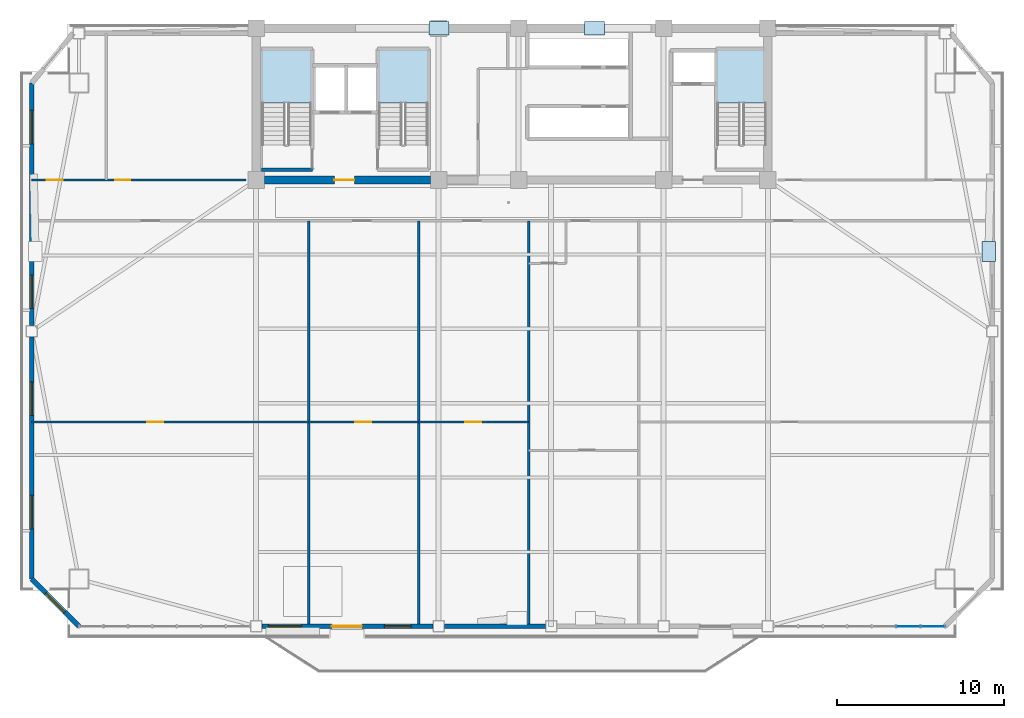
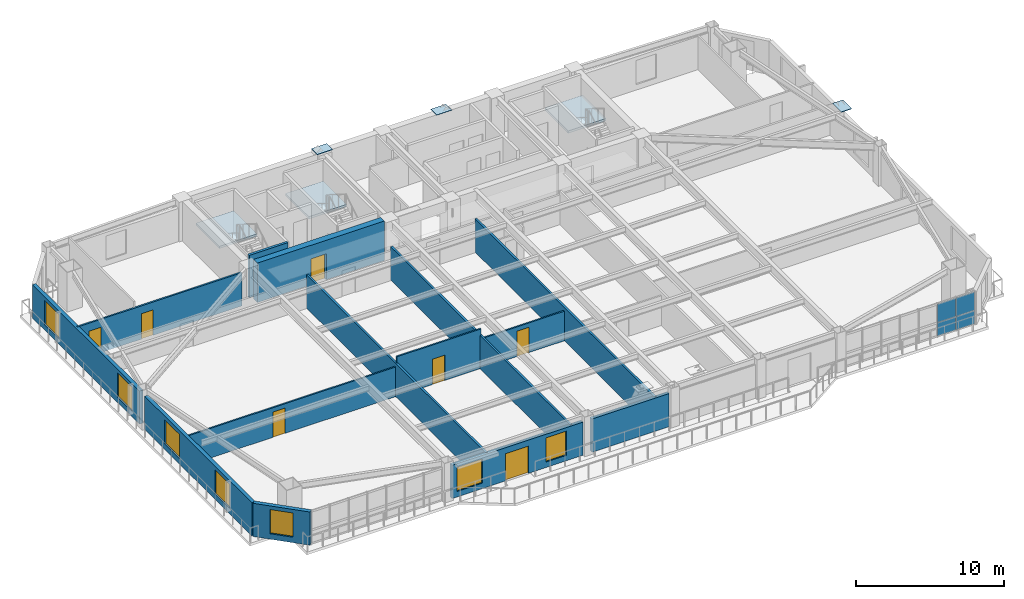
# One storey, part 8 of 17: 14 walls, 7 doors, 7 plates, 7 windows, 3 slabs, 14 openings, 4 elements without a shape of their own.
"""IFC4 building model written with IfcOpenShell, lengths in metres."""

from ifc_helpers import new_model, si_unit, direction, frame, frame_2d, origin, origin_2d, place, context, subcontext, project, spatial, polyline, rectangle, outline, extrude, source, transform, mapped, material, layer, layer_set, type_object, element, fill, aggregate, save


model = new_model("IFC4")

# Units and contexts
model_context = context("Model", 3, precision=1e-05, world=origin(), true_north=direction((0.0, 1.0)))
body_context = subcontext(model_context, "Body", "Model", "MODEL_VIEW")
ifc_project = project(units=[si_unit("LENGTHUNIT", "METRE"), si_unit("AREAUNIT", "SQUARE_METRE"), si_unit("VOLUMEUNIT", "CUBIC_METRE"), si_unit("PLANEANGLEUNIT", "RADIAN"), si_unit("MASSUNIT", "GRAM", prefix="KILO")], contexts=[model_context])

# Site, building, storey
site_placement = place(None, origin())
site = spatial("IfcSite", under=ifc_project, at=site_placement, CompositionType="ELEMENT")
building_placement = place(site_placement, origin())
building = spatial("IfcBuilding", under=site, at=building_placement, Name="Giltprow Tower", CompositionType="ELEMENT")
storey_placement = place(building_placement, frame((0.0, 0.0, 195.699951171875)))
storey = spatial("IfcBuildingStorey", under=building, at=storey_placement, Name="L49", CompositionType="ELEMENT", Elevation=195.699951171875)

# Stair, slab
ifc_material_1 = material(Name="Concrete C40", Category="concrete")
stair_type_1 = type_object("IfcStairType", Name="STR-ST-1", PredefinedType="HALF_TURN_STAIR", material=ifc_material_1)
stair_1_placement = place(storey_placement, origin())
stair_1 = element("IfcStair", 1, at=stair_1_placement, inside=storey, type_object=stair_type_1, Name="L49 Core Exit Stair ST-1", PredefinedType="HALF_TURN_STAIR")
ifc_layer_1 = layer(ifc_material_1, 0.179931640625, Name="Concrete C40")
ifc_layer_set_1 = layer_set([ifc_layer_1], Name="Concrete C40")
slab_type_1 = type_object("IfcSlabType", Name="SLD-ST-1", PredefinedType="LANDING", material=ifc_layer_set_1)
slab_1_placement = place(storey_placement, frame((0.0, 0.0, 1.570068359375)))
slab_1 = element("IfcSlab", 2, at=slab_1_placement, type_object=slab_type_1, Name="ST-1 landing 1", PredefinedType="LANDING", context=body_context, shape_type="SweptSolid", body=[
    extrude(outline(polyline([(23.159912109375, 42.070068359375), (23.159912109375, 45.25), (20.199951171875, 45.25), (20.199951171875, 42.070068359375), (23.159912109375, 42.070068359375)])), origin(), (0.0, 0.0, 1.0), 0.179931640625),
])
aggregate(stair_1, [slab_1])

stair_type_2 = type_object("IfcStairType", Name="STR-ST-2", PredefinedType="HALF_TURN_STAIR", material=ifc_material_1)
stair_2_placement = place(storey_placement, origin())
stair_2 = element("IfcStair", 3, at=stair_2_placement, inside=storey, type_object=stair_type_2, Name="L49 Core Exit Stair ST-2", PredefinedType="HALF_TURN_STAIR")
ifc_layer_2 = layer(ifc_material_1, 0.18798828125, Name="Concrete C40")
ifc_layer_set_2 = layer_set([ifc_layer_2], Name="Concrete C40")
slab_type_2 = type_object("IfcSlabType", Name="SLD-ST-2", PredefinedType="LANDING", material=ifc_layer_set_2)
slab_2_placement = place(storey_placement, frame((0.0, 0.0, 1.56201171875)))
slab_2 = element("IfcSlab", 4, at=slab_2_placement, type_object=slab_type_2, Name="ST-2 landing 1", PredefinedType="LANDING", context=body_context, shape_type="SweptSolid", body=[
    extrude(outline(polyline([(30.159912109375, 42.070068359375), (30.159912109375, 45.25), (27.199951171875, 45.25), (27.199951171875, 42.070068359375), (30.159912109375, 42.070068359375)])), origin(), (0.0, 0.0, 1.0), 0.18798828125),
])
aggregate(stair_2, [slab_2])

stair_type_3 = type_object("IfcStairType", Name="STR-ST-3", PredefinedType="HALF_TURN_STAIR", material=ifc_material_1)
stair_3_placement = place(storey_placement, origin())
stair_3 = element("IfcStair", 5, at=stair_3_placement, inside=storey, type_object=stair_type_3, Name="L49 Core Exit Stair ST-3", PredefinedType="HALF_TURN_STAIR")
ifc_layer_3 = layer(ifc_material_1, 0.196044921875, Name="Concrete C40")
ifc_layer_set_3 = layer_set([ifc_layer_3], Name="Concrete C40")
slab_type_3 = type_object("IfcSlabType", Name="SLD-ST-3", PredefinedType="LANDING", material=ifc_layer_set_3)
slab_3_placement = place(storey_placement, frame((0.0, 0.0, 1.553955078125)))
slab_3 = element("IfcSlab", 6, at=slab_3_placement, type_object=slab_type_3, Name="ST-3 landing 1", PredefinedType="LANDING", context=body_context, shape_type="SweptSolid", body=[
    extrude(outline(polyline([(50.4599609375, 42.070068359375), (50.4599609375, 45.25), (47.5, 45.25), (47.5, 42.070068359375), (50.4599609375, 42.070068359375)])), origin(), (0.0, 0.0, 1.0), 0.196044921875),
])
aggregate(stair_3, [slab_3])

# Plates
ifc_material_2 = material(Name="Structural steel Q420GJC", Category="steel")
plate_type_1 = type_object("IfcPlateType", Name="PLT-CAP-SEAL", PredefinedType="USERDEFINED", material=ifc_material_2)
shared_shape_1 = source(origin(), body_context, "Body", "SweptSolid", [
    extrude(rectangle(XDim=1.199951171875, YDim=0.800048828125, at=origin_2d()), origin(), (0.0, 0.0, 1.0), 0.034912109375),
])
for number, where, z_axis, x_axis, name in (
    (7, (30.806884765625, 46.550048828125, 3.3427734375), (0.0, 0.0, 1.0), (1.0, 0.0, 0.0), "Mega-Brace Node L49-N-LB"),
    (8, (40.14990234375, 46.550048828125, 3.3427734375), (0.0, 0.0, 1.0), (1.0, 0.0, 0.0), "Mega-Brace Node L49-N-RB"),
    (9, (63.7939453125, 33.1630859375, 3.482421875), (0.0, 0.0, 1.0), (0.0, 1.0, 0.0), "Mega-Brace Node L49-E-RB"),
):
    element("IfcPlate", number, at=place(storey_placement, frame(where, z_axis=z_axis, x_axis=x_axis)), inside=storey, type_object=plate_type_1, Name=name, ObjectType="SPLICE", PredefinedType="USERDEFINED", context=body_context, shape_type="MappedRepresentation", body=[
        mapped(shared_shape_1, transform((0.0, 0.0, 0.0), x_axis=(1.0, 0.0, 0.0), y_axis=(0.0, 1.0, 0.0), z_axis=(0.0, 0.0, 1.0), scale=1.0)),
    ])

# Curtain wall, plates
ifc_material_3 = material(Name="Anodized bronze", Category="metal")
ifc_layer_4 = layer(ifc_material_3, 0.179931640625, Name="Anodized bronze")
ifc_layer_set_4 = layer_set([ifc_layer_4], Name="Anodized bronze")
curtain_wall_type = type_object("IfcCurtainWallType", Name="CW-HTL-BRONZE", PredefinedType="NOTDEFINED", material=ifc_layer_set_4)
curtain_wall_placement = place(storey_placement, origin())
curtain_wall = element("IfcCurtainWall", 10, at=curtain_wall_placement, inside=storey, type_object=curtain_wall_type, Name="L49 South Recessed Curtain Wall 6", PredefinedType="NOTDEFINED")
ifc_material_4 = material(Name="Insulated glass", Category="glass")
plate_type_2 = type_object("IfcPlateType", Name="CW-PANEL-IGU-28", PredefinedType="CURTAIN_PANEL", material=ifc_material_4)
shared_shape_2 = source(origin(), body_context, "Body", "SweptSolid", [
    extrude(rectangle(XDim=1.43798828125, YDim=0.028076171875, at=origin_2d()), origin(), (0.0, 0.0, 1.0), 1.0869140625),
])
plate_1_placement = place(storey_placement, frame((58.97509765625, 10.679931640625, 0.0546875), z_axis=(0.0, 0.0, 1.0), x_axis=(1.0, 0.0, 0.0)))
plate_1 = element("IfcPlate", 11, at=plate_1_placement, type_object=plate_type_2, Name="L49 South Recessed Curtain Wall 6 Glazing Panel 6-1", PredefinedType="CURTAIN_PANEL", context=body_context, shape_type="MappedRepresentation", body=[
    mapped(shared_shape_2, transform((0.0, 0.0, 0.0), x_axis=(1.0, 0.0, 0.0), y_axis=(0.0, 1.0, 0.0), z_axis=(0.0, 0.0, 1.0), scale=1.0)),
])
plate_2_placement = place(storey_placement, frame((60.443115234375, 10.679931640625, 0.0546875), z_axis=(0.0, 0.0, 1.0), x_axis=(1.0, 0.0, 0.0)))
plate_2 = element("IfcPlate", 12, at=plate_2_placement, type_object=plate_type_2, Name="L49 South Recessed Curtain Wall 6 Glazing Panel 7-1", PredefinedType="CURTAIN_PANEL", context=body_context, shape_type="MappedRepresentation", body=[
    mapped(shared_shape_2, transform((0.0, 0.0, 0.0), x_axis=(1.0, 0.0, 0.0), y_axis=(0.0, 1.0, 0.0), z_axis=(0.0, 0.0, 1.0), scale=1.0)),
])
shared_shape_3 = source(origin(), body_context, "Body", "SweptSolid", [
    extrude(rectangle(XDim=1.43798828125, YDim=0.028076171875, at=origin_2d()), origin(), (0.0, 0.0, 1.0), 1.527099609375),
])
plate_3_placement = place(storey_placement, frame((58.97509765625, 10.679931640625, 1.16845703125), z_axis=(0.0, 0.0, 1.0), x_axis=(1.0, 0.0, 0.0)))
plate_3 = element("IfcPlate", 13, at=plate_3_placement, type_object=plate_type_2, Name="L49 South Recessed Curtain Wall 6 Glazing Panel 6-2", PredefinedType="CURTAIN_PANEL", context=body_context, shape_type="MappedRepresentation", body=[
    mapped(shared_shape_3, transform((0.0, 0.0, 0.0), x_axis=(1.0, 0.0, 0.0), y_axis=(0.0, 1.0, 0.0), z_axis=(0.0, 0.0, 1.0), scale=1.0)),
])
plate_4_placement = place(storey_placement, frame((60.443115234375, 10.679931640625, 1.16845703125), z_axis=(0.0, 0.0, 1.0), x_axis=(1.0, 0.0, 0.0)))
plate_4 = element("IfcPlate", 14, at=plate_4_placement, type_object=plate_type_2, Name="L49 South Recessed Curtain Wall 6 Glazing Panel 7-2", PredefinedType="CURTAIN_PANEL", context=body_context, shape_type="MappedRepresentation", body=[
    mapped(shared_shape_3, transform((0.0, 0.0, 0.0), x_axis=(1.0, 0.0, 0.0), y_axis=(0.0, 1.0, 0.0), z_axis=(0.0, 0.0, 1.0), scale=1.0)),
])
aggregate(curtain_wall, [plate_1, plate_3, plate_2, plate_4])

# Wall, opening, window
ifc_material_5 = material(Name="Precast concrete C40", Category="concrete")
ifc_layer_5 = layer(ifc_material_5, 0.300048828125, Name="Precast concrete C40")
ifc_layer_set_5 = layer_set([ifc_layer_5], Name="Precast concrete C40")
wall_type_1 = type_object("IfcWallType", Name="EW-NOTCH-CHAMFER-300", PredefinedType="SOLIDWALL", material=ifc_layer_set_5)
wall_1_placement = place(storey_placement, frame((6.388916015625, 13.514892578125, 0.0), z_axis=(0.0, 0.0, 1.0), x_axis=(0.707137226464, -0.707076334599, 0.0)))
wall_1 = element("IfcWall", 15, at=wall_1_placement, inside=storey, type_object=wall_type_1, Name="L49 Corner Notch Wall SW", PredefinedType="SOLIDWALL", context=body_context, shape_type="SweptSolid", body=[
    extrude(rectangle(XDim=4.009521484375, YDim=0.300048828125, at=frame_2d((2.0048828125, 0.0))), origin(), (0.0, 0.0, 1.0), 2.75),
])
opening_1_placement = place(wall_1_placement, frame((1.205078125, 0.0, 0.449951171875)))
opening_1 = element("IfcOpeningElement", 16, at=opening_1_placement, cuts=wall_1, Name="Opening WN17", PredefinedType="OPENING", context=body_context, shape_type="SweptSolid", body=[
    extrude(rectangle(XDim=1.60009765625, YDim=2.0, at=frame_2d((0.800048828125, 1.0))), frame((0.0, 0.159912109375, 0.0), z_axis=(0.0, -1.0, 0.0), x_axis=(1.0, 0.0, 0.0)), (0.0, 0.0, 1.0), 0.320068359375),
])
window_type_1 = type_object("IfcWindowType", Name="WN-COR-1600x2000", PartitioningType="SINGLE_PANEL", PredefinedType="WINDOW", material=ifc_material_4)
shared_shape_4 = source(origin(), body_context, "Body", "SweptSolid", [
    extrude(rectangle(XDim=1.60009765625, YDim=2.0, at=frame_2d((0.800048828125, 1.0))), frame((0.0, 0.030029296875, 0.0), z_axis=(0.0, -1.0, 0.0), x_axis=(1.0, 0.0, 0.0)), (0.0, 0.0, 1.0), 0.06005859375),
])
window_1_placement = place(opening_1_placement, origin())
window_1 = element("IfcWindow", 17, at=window_1_placement, inside=storey, type_object=window_type_1, Name="L49 Corner Notch Window SW", OverallHeight=2.0, OverallWidth=1.60009765625, PartitioningType="SINGLE_PANEL", PredefinedType="WINDOW", context=body_context, shape_type="MappedRepresentation", body=[
    mapped(shared_shape_4, transform((0.0, 0.0, 0.0), x_axis=(1.0, 0.0, 0.0), y_axis=(0.0, 1.0, 0.0), z_axis=(0.0, 0.0, 1.0), scale=1.0)),
])
fill(opening_1, window_1)

# Wall, openings, windows, door
ifc_layer_6 = layer(ifc_material_5, 0.280029296875, Name="Precast concrete C40")
ifc_layer_set_6 = layer_set([ifc_layer_6], Name="Precast concrete C40")
wall_type_2 = type_object("IfcWallType", Name="EW-TOW-BRONZE-280", PredefinedType="SOLIDWALL", material=ifc_layer_set_6)
wall_2_placement = place(storey_placement, frame((20.199951171875, 10.679931640625, 0.0), z_axis=(0.0, 0.0, 1.0), x_axis=(1.0, 0.0, 0.0)))
wall_2 = element("IfcWall", 18, at=wall_2_placement, inside=storey, type_object=wall_type_2, Name="L49 South Expressed Frame Wall 2", PredefinedType="SOLIDWALL", context=body_context, shape_type="SweptSolid", body=[
    extrude(rectangle(XDim=10.25, YDim=0.280029296875, at=frame_2d((5.125, 0.0))), origin(), (0.0, 0.0, 1.0), 2.75),
])
opening_2_placement = place(wall_2_placement, frame((4.199951171875, 0.0, 0.0)))
opening_2 = element("IfcOpeningElement", 19, at=opening_2_placement, cuts=wall_2, Name="Opening ED25", PredefinedType="OPENING", context=body_context, shape_type="SweptSolid", body=[
    extrude(rectangle(XDim=1.800048828125, YDim=2.25, at=frame_2d((0.89990234375, 1.125))), frame((0.0, 0.14990234375, 0.0), z_axis=(0.0, -1.0, 0.0), x_axis=(1.0, 0.0, 0.0)), (0.0, 0.0, 1.0), 0.300048828125),
])
opening_3_placement = place(wall_2_placement, frame((0.3798828125, 0.0, 0.449951171875)))
opening_3 = element("IfcOpeningElement", 20, at=opening_3_placement, cuts=wall_2, Name="Opening WN21", PredefinedType="OPENING", context=body_context, shape_type="SweptSolid", body=[
    extrude(rectangle(XDim=2.0, YDim=2.0, at=frame_2d((1.0, 1.0))), frame((0.0, 0.14990234375, 0.0), z_axis=(0.0, -1.0, 0.0), x_axis=(1.0, 0.0, 0.0)), (0.0, 0.0, 1.0), 0.300048828125),
])
opening_4_placement = place(wall_2_placement, frame((7.35009765625, 0.0, 0.449951171875)))
opening_4 = element("IfcOpeningElement", 21, at=opening_4_placement, cuts=wall_2, Name="Opening WN17", PredefinedType="OPENING", context=body_context, shape_type="SweptSolid", body=[
    extrude(rectangle(XDim=1.60009765625, YDim=2.0, at=frame_2d((0.800048828125, 1.0))), frame((0.0, 0.14990234375, 0.0), z_axis=(0.0, -1.0, 0.0), x_axis=(1.0, 0.0, 0.0)), (0.0, 0.0, 1.0), 0.300048828125),
])
window_2_placement = place(opening_4_placement, origin())
window_2 = element("IfcWindow", 22, at=window_2_placement, inside=storey, type_object=window_type_1, Name="L49 South Window 2B", OverallHeight=2.0, OverallWidth=1.60009765625, PartitioningType="SINGLE_PANEL", PredefinedType="WINDOW", context=body_context, shape_type="MappedRepresentation", body=[
    mapped(shared_shape_4, transform((0.0, 0.0, 0.0), x_axis=(1.0, 0.0, 0.0), y_axis=(0.0, 1.0, 0.0), z_axis=(0.0, 0.0, 1.0), scale=1.0)),
])
fill(opening_4, window_2)
ifc_material_6 = material(Name="Anodized bronze and glass", Category="glass")
door_type_1 = type_object("IfcDoorType", Name="DR-BALC-SLIDE-1800", OperationType="SLIDING_TO_LEFT", PredefinedType="DOOR", material=ifc_material_6)
shared_shape_5 = source(origin(), body_context, "Body", "SweptSolid", [
    extrude(rectangle(XDim=1.800048828125, YDim=2.25, at=frame_2d((0.89990234375, 1.125))), frame((0.0, 0.02490234375, 0.0), z_axis=(0.0, -1.0, 0.0), x_axis=(1.0, 0.0, 0.0)), (0.0, 0.0, 1.0), 0.050048828125),
])
door_1_placement = place(opening_2_placement, origin())
door_1 = element("IfcDoor", 23, at=door_1_placement, inside=storey, type_object=door_type_1, Name="L49 Waterfront Balcony Sliding Door 1", OperationType="SLIDING_TO_LEFT", OverallHeight=2.25, OverallWidth=1.800048828125, PredefinedType="DOOR", context=body_context, shape_type="MappedRepresentation", body=[
    mapped(shared_shape_5, transform((0.0, 0.0, 0.0), x_axis=(1.0, 0.0, 0.0), y_axis=(0.0, 1.0, 0.0), z_axis=(0.0, 0.0, 1.0), scale=1.0)),
])
fill(opening_2, door_1)
window_type_2 = type_object("IfcWindowType", Name="WN-HTL-2000x2000", PartitioningType="DOUBLE_PANEL_VERTICAL", PredefinedType="WINDOW", material=ifc_material_4)
shared_shape_6 = source(origin(), body_context, "Body", "SweptSolid", [
    extrude(rectangle(XDim=2.0, YDim=2.0, at=frame_2d((1.0, 1.0))), frame((0.0, 0.030029296875, 0.0), z_axis=(0.0, -1.0, 0.0), x_axis=(1.0, 0.0, 0.0)), (0.0, 0.0, 1.0), 0.06005859375),
])
window_3_placement = place(opening_3_placement, origin())
window_3 = element("IfcWindow", 24, at=window_3_placement, inside=storey, type_object=window_type_2, Name="L49 South Window 2A", OverallHeight=2.0, OverallWidth=2.0, PartitioningType="SINGLE_PANEL", PredefinedType="WINDOW", context=body_context, shape_type="MappedRepresentation", body=[
    mapped(shared_shape_6, transform((0.0, 0.0, 0.0), x_axis=(1.0, 0.0, 0.0), y_axis=(0.0, 1.0, 0.0), z_axis=(0.0, 0.0, 1.0), scale=1.0)),
])
fill(opening_3, window_3)

# Wall
wall_3_placement = place(storey_placement, frame((31.14990234375, 10.679931640625, 0.0), z_axis=(0.0, 0.0, 1.0), x_axis=(1.0, 0.0, 0.0)))
element("IfcWall", 25, at=wall_3_placement, inside=storey, type_object=wall_type_2, Name="L49 South Expressed Frame Wall 3", PredefinedType="SOLIDWALL", context=body_context, shape_type="SweptSolid", body=[
    extrude(rectangle(XDim=6.050048828125, YDim=0.280029296875, at=frame_2d((3.02490234375, 0.0))), origin(), (0.0, 0.0, 1.0), 2.75),
])

# Wall, openings, windows
wall_4_placement = place(storey_placement, frame((6.388916015625, 13.514892578125, 0.0), z_axis=(0.0, 0.0, 1.0), x_axis=(0.0, 1.0, 0.0)))
wall_4 = element("IfcWall", 26, at=wall_4_placement, inside=storey, type_object=wall_type_2, Name="L49 W Wing Masonry Wall 1", PredefinedType="SOLIDWALL", context=body_context, shape_type="SweptSolid", body=[
    extrude(rectangle(XDim=14.525146484375, YDim=0.280029296875, at=frame_2d((7.2626953125, 0.0))), origin(), (0.0, 0.0, 1.0), 2.75),
])
opening_5_placement = place(wall_4_placement, frame((3.01708984375, 0.0, 0.449951171875)))
opening_5 = element("IfcOpeningElement", 27, at=opening_5_placement, cuts=wall_4, Name="Opening WN21", PredefinedType="OPENING", context=body_context, shape_type="SweptSolid", body=[
    extrude(rectangle(XDim=2.0, YDim=2.0, at=frame_2d((1.0, 1.0))), frame((0.0, 0.14990234375, 0.0), z_axis=(0.0, -1.0, 0.0), x_axis=(1.0, 0.0, 0.0)), (0.0, 0.0, 1.0), 0.300048828125),
])
opening_6_placement = place(wall_4_placement, frame((9.824951171875, 0.0, 0.449951171875)))
opening_6 = element("IfcOpeningElement", 28, at=opening_6_placement, cuts=wall_4, Name="Opening WN21", PredefinedType="OPENING", context=body_context, shape_type="SweptSolid", body=[
    extrude(rectangle(XDim=2.0, YDim=2.0, at=frame_2d((1.0, 1.0))), frame((0.0, 0.14990234375, 0.0), z_axis=(0.0, -1.0, 0.0), x_axis=(1.0, 0.0, 0.0)), (0.0, 0.0, 1.0), 0.300048828125),
])
window_4_placement = place(opening_5_placement, origin())
window_4 = element("IfcWindow", 29, at=window_4_placement, inside=storey, type_object=window_type_2, Name="L49 W Wing Window 1-1A", OverallHeight=2.0, OverallWidth=2.0, PartitioningType="SINGLE_PANEL", PredefinedType="WINDOW", context=body_context, shape_type="MappedRepresentation", body=[
    mapped(shared_shape_6, transform((0.0, 0.0, 0.0), x_axis=(1.0, 0.0, 0.0), y_axis=(0.0, 1.0, 0.0), z_axis=(0.0, 0.0, 1.0), scale=1.0)),
])
fill(opening_5, window_4)
window_5_placement = place(opening_6_placement, origin())
window_5 = element("IfcWindow", 30, at=window_5_placement, inside=storey, type_object=window_type_2, Name="L49 W Wing Window 1-1B", OverallHeight=2.0, OverallWidth=2.0, PartitioningType="SINGLE_PANEL", PredefinedType="WINDOW", context=body_context, shape_type="MappedRepresentation", body=[
    mapped(shared_shape_6, transform((0.0, 0.0, 0.0), x_axis=(1.0, 0.0, 0.0), y_axis=(0.0, 1.0, 0.0), z_axis=(0.0, 0.0, 1.0), scale=1.0)),
])
fill(opening_6, window_5)

wall_5_placement = place(storey_placement, frame((6.388916015625, 28.739990234375, 0.0), z_axis=(0.0, 0.0, 1.0), x_axis=(0.0, 1.0, 0.0)))
wall_5 = element("IfcWall", 31, at=wall_5_placement, inside=storey, type_object=wall_type_2, Name="L49 W Wing Masonry Wall 2", PredefinedType="SOLIDWALL", context=body_context, shape_type="SweptSolid", body=[
    extrude(rectangle(XDim=14.52490234375, YDim=0.280029296875, at=frame_2d((7.262451171875, 0.0))), origin(), (0.0, 0.0, 1.0), 2.75),
])
opening_7_placement = place(wall_5_placement, frame((1.011962890625, 0.0, 0.449951171875)))
opening_7 = element("IfcOpeningElement", 32, at=opening_7_placement, cuts=wall_5, Name="Opening WN21", PredefinedType="OPENING", context=body_context, shape_type="SweptSolid", body=[
    extrude(rectangle(XDim=2.0, YDim=2.0, at=frame_2d((1.0, 1.0))), frame((0.0, 0.14990234375, 0.0), z_axis=(0.0, -1.0, 0.0), x_axis=(1.0, 0.0, 0.0)), (0.0, 0.0, 1.0), 0.300048828125),
])
opening_8_placement = place(wall_5_placement, frame((10.884033203125, 0.0, 0.449951171875)))
opening_8 = element("IfcOpeningElement", 33, at=opening_8_placement, cuts=wall_5, Name="Opening WN21", PredefinedType="OPENING", context=body_context, shape_type="SweptSolid", body=[
    extrude(rectangle(XDim=2.0, YDim=2.0, at=frame_2d((1.0, 1.0))), frame((0.0, 0.14990234375, 0.0), z_axis=(0.0, -1.0, 0.0), x_axis=(1.0, 0.0, 0.0)), (0.0, 0.0, 1.0), 0.300048828125),
])
window_6_placement = place(opening_7_placement, origin())
window_6 = element("IfcWindow", 34, at=window_6_placement, inside=storey, type_object=window_type_2, Name="L49 W Wing Window 2-1", OverallHeight=2.0, OverallWidth=2.0, PartitioningType="SINGLE_PANEL", PredefinedType="WINDOW", context=body_context, shape_type="MappedRepresentation", body=[
    mapped(shared_shape_6, transform((0.0, 0.0, 0.0), x_axis=(1.0, 0.0, 0.0), y_axis=(0.0, 1.0, 0.0), z_axis=(0.0, 0.0, 1.0), scale=1.0)),
])
fill(opening_7, window_6)
window_7_placement = place(opening_8_placement, origin())
window_7 = element("IfcWindow", 35, at=window_7_placement, inside=storey, type_object=window_type_2, Name="L49 W Wing Window 2-2", OverallHeight=2.0, OverallWidth=2.0, PartitioningType="SINGLE_PANEL", PredefinedType="WINDOW", context=body_context, shape_type="MappedRepresentation", body=[
    mapped(shared_shape_6, transform((0.0, 0.0, 0.0), x_axis=(1.0, 0.0, 0.0), y_axis=(0.0, 1.0, 0.0), z_axis=(0.0, 0.0, 1.0), scale=1.0)),
])
fill(opening_8, window_7)

# Walls
ifc_material_7 = material(Name="Gypsum stud partition", Category="gypsum")
ifc_layer_7 = layer(ifc_material_7, 0.159912109375, Name="Gypsum stud partition")
ifc_layer_set_7 = layer_set([ifc_layer_7], Name="Gypsum stud partition")
wall_type_3 = type_object("IfcWallType", Name="IW-DEMISE-160", PredefinedType="PARTITIONING", material=ifc_layer_set_7)
for number, where, z_axis, x_axis, name in (
    (36, (23.0, 10.679931640625, 0.0), (0.0, 0.0, 1.0), (0.0, 1.0, 0.0), "L49 Hotel Demising Wall 1"),
    (37, (29.60009765625, 10.679931640625, 0.0), (0.0, 0.0, 1.0), (0.0, 1.0, 0.0), "L49 Hotel Demising Wall 2"),
    (38, (36.199951171875, 10.679931640625, 0.0), (0.0, 0.0, 1.0), (0.0, 1.0, 0.0), "L49 Hotel Demising Wall 3"),
):
    element("IfcWall", number, at=place(storey_placement, frame(where, z_axis=z_axis, x_axis=x_axis)), inside=storey, type_object=wall_type_3, Name=name, PredefinedType="PARTITIONING", context=body_context, shape_type="SweptSolid", body=[
        extrude(rectangle(XDim=24.320068359375, YDim=0.159912109375, at=frame_2d((12.16015625, 0.0))), origin(), (0.0, 0.0, 1.0), 2.755126953125),
    ])

# Wall, opening, door
ifc_layer_8 = layer(ifc_material_7, 0.1201171875, Name="Gypsum stud partition")
ifc_layer_set_8 = layer_set([ifc_layer_8], Name="Gypsum stud partition")
wall_type_4 = type_object("IfcWallType", Name="IW-ROOM-120", PredefinedType="PARTITIONING", material=ifc_layer_set_8)
wall_6_placement = place(storey_placement, frame((6.388916015625, 22.93994140625, 0.0), z_axis=(0.0, 0.0, 1.0), x_axis=(1.0, 0.0, 0.0)))
wall_6 = element("IfcWall", 39, at=wall_6_placement, inside=storey, type_object=wall_type_4, Name="L49 Amenity Mid Wall 1", PredefinedType="PARTITIONING", context=body_context, shape_type="SweptSolid", body=[
    extrude(rectangle(XDim=16.611083984375, YDim=0.1201171875, at=frame_2d((8.3056640625, 0.0))), origin(), (0.0, 0.0, 1.0), 2.455078125),
])
opening_9_placement = place(wall_6_placement, frame((6.929931640625, 0.0, 0.0)))
opening_9 = element("IfcOpeningElement", 40, at=opening_9_placement, cuts=wall_6, Name="Opening ID11", PredefinedType="OPENING", context=body_context, shape_type="SweptSolid", body=[
    extrude(rectangle(XDim=0.949951171875, YDim=2.10009765625, at=frame_2d((0.47509765625, 1.050048828125))), frame((0.0, 0.070068359375, 0.0), z_axis=(0.0, -1.0, 0.0), x_axis=(1.0, 0.0, 0.0)), (0.0, 0.0, 1.0), 0.14013671875),
])
ifc_material_8 = material(Name="Engineered timber", Category="wood")
door_type_2 = type_object("IfcDoorType", Name="DR-ROOM-950", OperationType="SINGLE_SWING_RIGHT", PredefinedType="DOOR", material=ifc_material_8)
shared_shape_7 = source(origin(), body_context, "Body", "SweptSolid", [
    extrude(rectangle(XDim=0.949951171875, YDim=2.10009765625, at=frame_2d((0.47509765625, 1.050048828125))), frame((0.0, 0.02490234375, 0.0), z_axis=(0.0, -1.0, 0.0), x_axis=(1.0, 0.0, 0.0)), (0.0, 0.0, 1.0), 0.050048828125),
])
door_2_placement = place(opening_9_placement, origin())
door_2 = element("IfcDoor", 41, at=door_2_placement, inside=storey, type_object=door_type_2, Name="L49 Sommelier Pantry Kitchen 1 Inner Door", OperationType="SINGLE_SWING_RIGHT", OverallHeight=2.10009765625, OverallWidth=0.949951171875, PredefinedType="DOOR", context=body_context, shape_type="MappedRepresentation", body=[
    mapped(shared_shape_7, transform((0.0, 0.0, 0.0), x_axis=(1.0, 0.0, 0.0), y_axis=(0.0, 1.0, 0.0), z_axis=(0.0, 0.0, 1.0), scale=1.0)),
])
fill(opening_9, door_2)

wall_7_placement = place(storey_placement, frame((23.0, 22.93994140625, 0.0), z_axis=(0.0, 0.0, 1.0), x_axis=(1.0, 0.0, 0.0)))
wall_7 = element("IfcWall", 42, at=wall_7_placement, inside=storey, type_object=wall_type_4, Name="L49 Amenity Mid Wall 2", PredefinedType="PARTITIONING", context=body_context, shape_type="SweptSolid", body=[
    extrude(rectangle(XDim=6.60009765625, YDim=0.1201171875, at=frame_2d((3.300048828125, 0.0))), origin(), (0.0, 0.0, 1.0), 3.27001953125),
])
opening_10_placement = place(wall_7_placement, frame((2.805908203125, 0.0, 0.0)))
opening_10 = element("IfcOpeningElement", 43, at=opening_10_placement, cuts=wall_7, Name="Opening ID11", PredefinedType="OPENING", context=body_context, shape_type="SweptSolid", body=[
    extrude(rectangle(XDim=0.949951171875, YDim=2.10009765625, at=frame_2d((0.47509765625, 1.050048828125))), frame((0.0, 0.070068359375, 0.0), z_axis=(0.0, -1.0, 0.0), x_axis=(1.0, 0.0, 0.0)), (0.0, 0.0, 1.0), 0.14013671875),
])
door_3_placement = place(opening_10_placement, origin())
door_3 = element("IfcDoor", 44, at=door_3_placement, inside=storey, type_object=door_type_2, Name="L49 Room Service Kitchen 2 Inner Door", OperationType="SINGLE_SWING_RIGHT", OverallHeight=2.10009765625, OverallWidth=0.949951171875, PredefinedType="DOOR", context=body_context, shape_type="MappedRepresentation", body=[
    mapped(shared_shape_7, transform((0.0, 0.0, 0.0), x_axis=(1.0, 0.0, 0.0), y_axis=(0.0, 1.0, 0.0), z_axis=(0.0, 0.0, 1.0), scale=1.0)),
])
fill(opening_10, door_3)

wall_8_placement = place(storey_placement, frame((29.60009765625, 22.93994140625, 0.0), z_axis=(0.0, 0.0, 1.0), x_axis=(1.0, 0.0, 0.0)))
wall_8 = element("IfcWall", 45, at=wall_8_placement, inside=storey, type_object=wall_type_4, Name="L49 Amenity Mid Wall 3", PredefinedType="PARTITIONING", context=body_context, shape_type="SweptSolid", body=[
    extrude(rectangle(XDim=6.599853515625, YDim=0.1201171875, at=frame_2d((3.2998046875, 0.0))), origin(), (0.0, 0.0, 1.0), 2.455078125),
])
opening_11_placement = place(wall_8_placement, frame((2.805908203125, 0.0, 0.0)))
opening_11 = element("IfcOpeningElement", 46, at=opening_11_placement, cuts=wall_8, Name="Opening ID11", PredefinedType="OPENING", context=body_context, shape_type="SweptSolid", body=[
    extrude(rectangle(XDim=0.949951171875, YDim=2.10009765625, at=frame_2d((0.47509765625, 1.050048828125))), frame((0.0, 0.070068359375, 0.0), z_axis=(0.0, -1.0, 0.0), x_axis=(1.0, 0.0, 0.0)), (0.0, 0.0, 1.0), 0.14013671875),
])
door_4_placement = place(opening_11_placement, origin())
door_4 = element("IfcDoor", 47, at=door_4_placement, inside=storey, type_object=door_type_2, Name="L49 Pastry Finishing Kitchen 3 Inner Door", OperationType="SINGLE_SWING_RIGHT", OverallHeight=2.10009765625, OverallWidth=0.949951171875, PredefinedType="DOOR", context=body_context, shape_type="MappedRepresentation", body=[
    mapped(shared_shape_7, transform((0.0, 0.0, 0.0), x_axis=(1.0, 0.0, 0.0), y_axis=(0.0, 1.0, 0.0), z_axis=(0.0, 0.0, 1.0), scale=1.0)),
])
fill(opening_11, door_4)

# Wall
ifc_layer_9 = layer(ifc_material_1, 0.199951171875, Name="Concrete C40")
ifc_layer_set_9 = layer_set([ifc_layer_9], Name="Concrete C40")
wall_type_5 = type_object("IfcWallType", Name="IW-STAIR-200", PredefinedType="SOLIDWALL", material=ifc_layer_set_9)
wall_9_placement = place(storey_placement, frame((20.169921875, 38.070068359375, 0.0), z_axis=(0.0, 0.0, 1.0), x_axis=(1.0, 0.0, 0.0)))
element("IfcWall", 48, at=wall_9_placement, inside=storey, type_object=wall_type_5, Name="L49 Stair ST-1 South Bearing Wall", PredefinedType="SOLIDWALL", context=body_context, shape_type="SweptSolid", body=[
    extrude(rectangle(XDim=3.050048828125, YDim=0.199951171875, at=frame_2d((1.52490234375, 0.0))), origin(), (0.0, 0.0, 1.0), 3.5),
])

# Wall, openings, doors
ifc_material_9 = material(Name="Concrete C30", Category="concrete")
ifc_layer_10 = layer(ifc_material_9, 0.1298828125, Name="Concrete C30")
ifc_layer_set_10 = layer_set([ifc_layer_10], Name="Concrete C30")
wall_type_6 = type_object("IfcWallType", Name="IW-WET-130", PredefinedType="PARTITIONING", material=ifc_layer_set_10)
wall_10_placement = place(storey_placement, frame((6.388916015625, 37.449951171875, 0.0), z_axis=(0.0, 0.0, 1.0), x_axis=(1.0, 0.0, 0.0)))
wall_10 = element("IfcWall", 49, at=wall_10_placement, inside=storey, type_object=wall_type_6, Name="L49 NW Wing South Wall", PredefinedType="PARTITIONING", context=body_context, shape_type="SweptSolid", body=[
    extrude(rectangle(XDim=12.861083984375, YDim=0.1298828125, at=frame_2d((6.4306640625, 0.0))), origin(), (0.0, 0.0, 1.0), 2.755126953125),
])
opening_12_placement = place(wall_10_placement, frame((0.89990234375, 0.0, 0.0)))
opening_12 = element("IfcOpeningElement", 50, at=opening_12_placement, cuts=wall_10, Name="Opening ID11", PredefinedType="OPENING", context=body_context, shape_type="SweptSolid", body=[
    extrude(rectangle(XDim=0.949951171875, YDim=2.10009765625, at=frame_2d((0.47509765625, 1.050048828125))), frame((0.0, 0.074951171875, 0.0), z_axis=(0.0, -1.0, 0.0), x_axis=(1.0, 0.0, 0.0)), (0.0, 0.0, 1.0), 0.14990234375),
])
opening_13_placement = place(wall_10_placement, frame((5.02099609375, 0.0, 0.0)))
opening_13 = element("IfcOpeningElement", 51, at=opening_13_placement, cuts=wall_10, Name="Opening ID15", PredefinedType="OPENING", context=body_context, shape_type="SweptSolid", body=[
    extrude(rectangle(XDim=0.89990234375, YDim=2.10009765625, at=frame_2d((0.449951171875, 1.050048828125))), frame((0.0, 0.074951171875, 0.0), z_axis=(0.0, -1.0, 0.0), x_axis=(1.0, 0.0, 0.0)), (0.0, 0.0, 1.0), 0.14990234375),
])
door_type_3 = type_object("IfcDoorType", Name="DR-WC-900", OperationType="SINGLE_SWING_LEFT", PredefinedType="DOOR", material=ifc_material_8)
shared_shape_8 = source(origin(), body_context, "Body", "SweptSolid", [
    extrude(rectangle(XDim=0.89990234375, YDim=2.10009765625, at=frame_2d((0.449951171875, 1.050048828125))), frame((0.0, 0.02490234375, 0.0), z_axis=(0.0, -1.0, 0.0), x_axis=(1.0, 0.0, 0.0)), (0.0, 0.0, 1.0), 0.050048828125),
])
door_5_placement = place(opening_13_placement, origin())
door_5 = element("IfcDoor", 52, at=door_5_placement, inside=storey, type_object=door_type_3, Name="L49 NW Washroom Door", OperationType="SINGLE_SWING_LEFT", OverallHeight=2.10009765625, OverallWidth=0.89990234375, PredefinedType="DOOR", context=body_context, shape_type="MappedRepresentation", body=[
    mapped(shared_shape_8, transform((0.0, 0.0, 0.0), x_axis=(1.0, 0.0, 0.0), y_axis=(0.0, 1.0, 0.0), z_axis=(0.0, 0.0, 1.0), scale=1.0)),
])
fill(opening_13, door_5)
door_6_placement = place(opening_12_placement, origin())
door_6 = element("IfcDoor", 53, at=door_6_placement, inside=storey, type_object=door_type_2, Name="L49 Hotel Floor Butler Office West Door", OperationType="SINGLE_SWING_RIGHT", OverallHeight=2.10009765625, OverallWidth=0.949951171875, PredefinedType="DOOR", context=body_context, shape_type="MappedRepresentation", body=[
    mapped(shared_shape_7, transform((0.0, 0.0, 0.0), x_axis=(1.0, 0.0, 0.0), y_axis=(0.0, 1.0, 0.0), z_axis=(0.0, 0.0, 1.0), scale=1.0)),
])
fill(opening_12, door_6)

# Wall, opening, door
ifc_material_10 = material(Name="Concrete C50", Category="concrete")
ifc_layer_11 = layer(ifc_material_10, 0.5, Name="Concrete C50")
ifc_layer_set_11 = layer_set([ifc_layer_11], Name="Concrete C50")
wall_type_7 = type_object("IfcWallType", Name="SW-INT-500-C50", PredefinedType="SHEAR", material=ifc_layer_set_11)
wall_11_placement = place(storey_placement, frame((20.35009765625, 37.449951171875, 0.0), z_axis=(0.0, 0.0, 1.0), x_axis=(1.0, 0.0, 0.0)))
wall_11 = element("IfcWall", 54, at=wall_11_placement, inside=storey, type_object=wall_type_7, Name="L49 South Rear Core Shear Wall West", PredefinedType="SHEAR", context=body_context, shape_type="SweptSolid", body=[
    extrude(rectangle(XDim=9.949951171875, YDim=0.5, at=frame_2d((4.97509765625, 0.0))), origin(), (0.0, 0.0, 1.0), 3.27001953125),
])
opening_14_placement = place(wall_11_placement, frame((4.199951171875, 0.0, 0.0)))
opening_14 = element("IfcOpeningElement", 55, at=opening_14_placement, cuts=wall_11, Name="Opening ID19", PredefinedType="OPENING", context=body_context, shape_type="SweptSolid", body=[
    extrude(rectangle(XDim=1.199951171875, YDim=2.14990234375, at=frame_2d((0.60009765625, 1.074951171875))), frame((0.0, 0.260009765625, 0.0), z_axis=(0.0, -1.0, 0.0), x_axis=(1.0, 0.0, 0.0)), (0.0, 0.0, 1.0), 0.52001953125),
])
ifc_material_11 = material(Name="Steel fire leaf", Category="steel")
door_type_4 = type_object("IfcDoorType", Name="DR-FFLOBBY-1200", OperationType="SINGLE_SWING_RIGHT", PredefinedType="DOOR", material=ifc_material_11)
shared_shape_9 = source(origin(), body_context, "Body", "SweptSolid", [
    extrude(rectangle(XDim=1.199951171875, YDim=2.14990234375, at=frame_2d((0.60009765625, 1.074951171875))), frame((0.0, 0.02490234375, 0.0), z_axis=(0.0, -1.0, 0.0), x_axis=(1.0, 0.0, 0.0)), (0.0, 0.0, 1.0), 0.050048828125),
])
door_7_placement = place(opening_14_placement, origin())
door_7 = element("IfcDoor", 56, at=door_7_placement, inside=storey, type_object=door_type_4, Name="L49 West Firefighting Lobby Entry Door", OperationType="SINGLE_SWING_RIGHT", OverallHeight=2.14990234375, OverallWidth=1.199951171875, PredefinedType="DOOR", context=body_context, shape_type="MappedRepresentation", body=[
    mapped(shared_shape_9, transform((0.0, 0.0, 0.0), x_axis=(1.0, 0.0, 0.0), y_axis=(0.0, 1.0, 0.0), z_axis=(0.0, 0.0, 1.0), scale=1.0)),
])
fill(opening_14, door_7)

save(model, "model.ifc")
